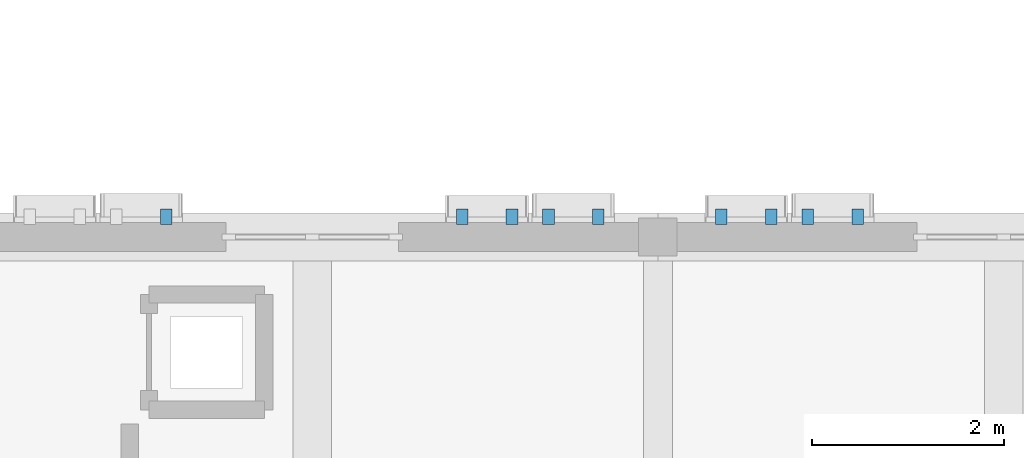
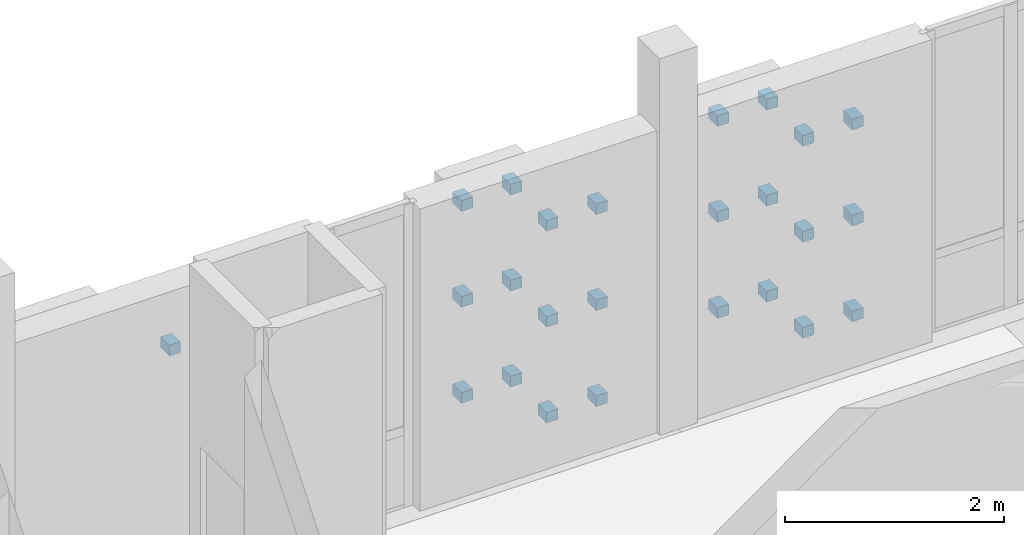
# One storey, part 80 of 99: 25 discrete accessories.
"""IFC4 building model written with IfcOpenShell, lengths in metres."""

from ifc_helpers import new_model, si_unit, direction, frame, origin, origin_2d, place, context, subcontext, project, spatial, rectangle, extrude, material, type_object, element, save


model = new_model("IFC4")

# Units and contexts
model_context = context("Model", 3, precision=1e-05, world=origin(), true_north=direction((0.0, 1.0)))
body_context = subcontext(model_context, "Body", "Model", "MODEL_VIEW")
ifc_project = project(units=[si_unit("LENGTHUNIT", "METRE"), si_unit("AREAUNIT", "SQUARE_METRE"), si_unit("VOLUMEUNIT", "CUBIC_METRE"), si_unit("PLANEANGLEUNIT", "RADIAN"), si_unit("MASSUNIT", "GRAM", prefix="KILO")], contexts=[model_context])

# Site, building, storey
site_placement = place(None, origin())
site = spatial("IfcSite", under=ifc_project, at=site_placement, CompositionType="ELEMENT")
building_placement = place(site_placement, origin())
building = spatial("IfcBuilding", under=site, at=building_placement, Name="Kahlenmark Community Centre", CompositionType="ELEMENT")
storey_placement = place(building_placement, frame((0.0, 0.0, 5.39990234375)))
storey = spatial("IfcBuildingStorey", under=building, at=storey_placement, Name="L01", CompositionType="ELEMENT", Elevation=5.39990234375)

# Discrete accessories
ifc_material = material(Name="Stainless steel 1.4401 rainscreen bracket", Category="steel")
discrete_accessory_type = type_object("IfcDiscreteAccessoryType", Name="DAT-BRACKET-TC", PredefinedType="BRACKET", material=ifc_material)
for number, where, z_axis, x_axis, name in (
    (1, (64.580078125, 23.409912109375, 0.28759765625), (0.0, 0.0, 1.0), (-1.0, 0.0, 0.0), "Terracotta cassette bracket 1073.1"),
    (2, (64.06005859375, 23.409912109375, 0.28759765625), (0.0, 0.0, 1.0), (-1.0, 0.0, 0.0), "Terracotta cassette bracket 1073.2"),
    (3, (64.580078125, 23.409912109375, 1.357421875), (0.0, 0.0, 1.0), (-1.0, 0.0, 0.0), "Terracotta cassette bracket 1075.1"),
    (4, (64.06005859375, 23.409912109375, 1.357421875), (0.0, 0.0, 1.0), (-1.0, 0.0, 0.0), "Terracotta cassette bracket 1075.2"),
    (5, (64.580078125, 23.409912109375, 2.427490234375), (0.0, 0.0, 1.0), (-1.0, 0.0, 0.0), "Terracotta cassette bracket 1077.1"),
    (6, (64.06005859375, 23.409912109375, 2.427490234375), (0.0, 0.0, 1.0), (-1.0, 0.0, 0.0), "Terracotta cassette bracket 1077.2"),
    (7, (63.679931640625, 23.409912109375, 0.822509765625), (0.0, 0.0, 1.0), (-1.0, 0.0, 0.0), "Terracotta cassette bracket 1080.1"),
    (8, (63.159912109375, 23.409912109375, 0.822509765625), (0.0, 0.0, 1.0), (-1.0, 0.0, 0.0), "Terracotta cassette bracket 1080.2"),
    (9, (63.679931640625, 23.409912109375, 1.892578125), (0.0, 0.0, 1.0), (-1.0, 0.0, 0.0), "Terracotta cassette bracket 1082.1"),
    (10, (63.159912109375, 23.409912109375, 1.892578125), (0.0, 0.0, 1.0), (-1.0, 0.0, 0.0), "Terracotta cassette bracket 1082.2"),
    (11, (63.679931640625, 23.409912109375, 2.962646484375), (0.0, 0.0, 1.0), (-1.0, 0.0, 0.0), "Terracotta cassette bracket 1084.1"),
    (12, (63.159912109375, 23.409912109375, 2.962646484375), (0.0, 0.0, 1.0), (-1.0, 0.0, 0.0), "Terracotta cassette bracket 1084.2"),
    (13, (60.080078125, 23.409912109375, 2.427490234375), (0.0, 0.0, 1.0), (-1.0, 0.0, 0.0), "Terracotta cassette bracket 1089.1"),
    (14, (67.280029296875, 23.409912109375, 0.28759765625), (0.0, 0.0, 1.0), (-1.0, 0.0, 0.0), "Terracotta cassette bracket 1109.1"),
    (15, (66.760009765625, 23.409912109375, 0.28759765625), (0.0, 0.0, 1.0), (-1.0, 0.0, 0.0), "Terracotta cassette bracket 1109.2"),
    (16, (67.280029296875, 23.409912109375, 1.357421875), (0.0, 0.0, 1.0), (-1.0, 0.0, 0.0), "Terracotta cassette bracket 1111.1"),
    (17, (66.760009765625, 23.409912109375, 1.357421875), (0.0, 0.0, 1.0), (-1.0, 0.0, 0.0), "Terracotta cassette bracket 1111.2"),
    (18, (67.280029296875, 23.409912109375, 2.427490234375), (0.0, 0.0, 1.0), (-1.0, 0.0, 0.0), "Terracotta cassette bracket 1113.1"),
    (19, (66.760009765625, 23.409912109375, 2.427490234375), (0.0, 0.0, 1.0), (-1.0, 0.0, 0.0), "Terracotta cassette bracket 1113.2"),
    (20, (66.3798828125, 23.409912109375, 0.822509765625), (0.0, 0.0, 1.0), (-1.0, 0.0, 0.0), "Terracotta cassette bracket 1116.1"),
    (21, (65.860107421875, 23.409912109375, 0.822509765625), (0.0, 0.0, 1.0), (-1.0, 0.0, 0.0), "Terracotta cassette bracket 1116.2"),
    (22, (66.3798828125, 23.409912109375, 1.892578125), (0.0, 0.0, 1.0), (-1.0, 0.0, 0.0), "Terracotta cassette bracket 1118.1"),
    (23, (65.860107421875, 23.409912109375, 1.892578125), (0.0, 0.0, 1.0), (-1.0, 0.0, 0.0), "Terracotta cassette bracket 1118.2"),
    (24, (66.3798828125, 23.409912109375, 2.962646484375), (0.0, 0.0, 1.0), (-1.0, 0.0, 0.0), "Terracotta cassette bracket 1120.1"),
    (25, (65.860107421875, 23.409912109375, 2.962646484375), (0.0, 0.0, 1.0), (-1.0, 0.0, 0.0), "Terracotta cassette bracket 1120.2"),
):
    element("IfcDiscreteAccessory", number, at=place(storey_placement, frame(where, z_axis=z_axis, x_axis=x_axis)), inside=storey, type_object=discrete_accessory_type, Name=name, PredefinedType="BRACKET", context=body_context, shape_type="SweptSolid", body=[
        extrude(rectangle(XDim=0.1201171875, YDim=0.159912109375, at=origin_2d()), origin(), (0.0, 0.0, 1.0), 0.1201171875),
    ])

save(model, "model.ifc")
